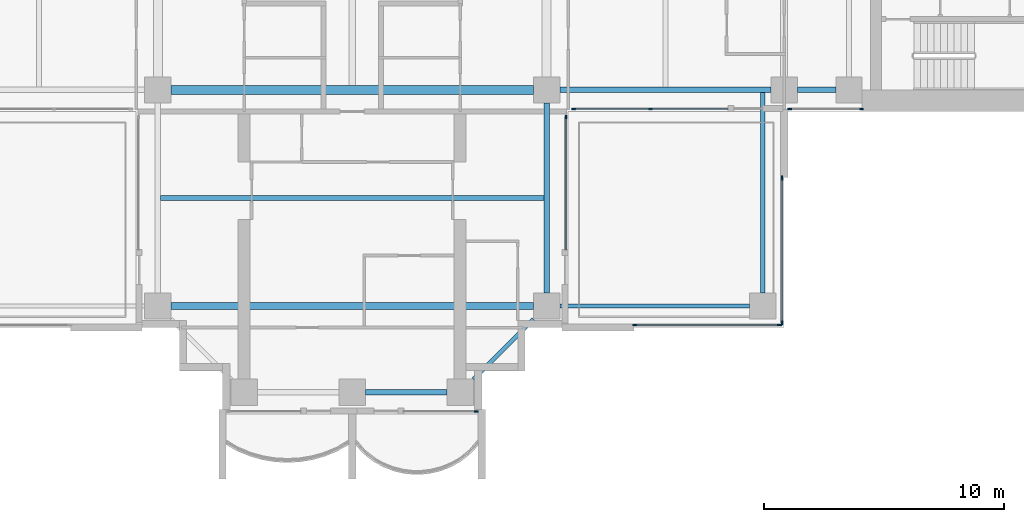
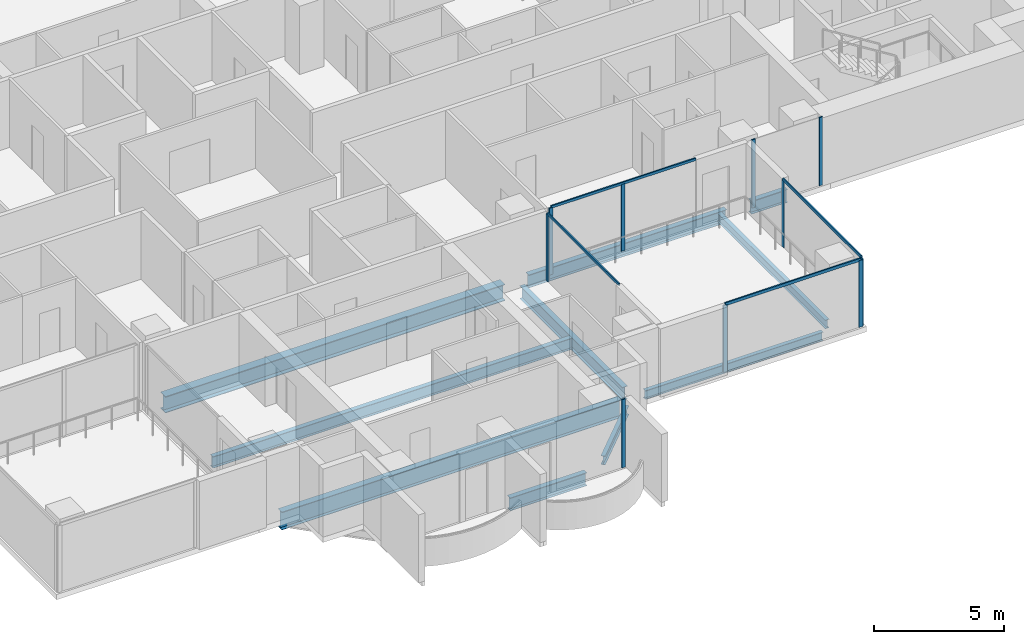
# One storey, part 3 of 19: 14 members, 10 beams, 6 elements without a shape of their own.
"""IFC4 building model written with IfcOpenShell, lengths in metres."""

from ifc_helpers import new_model, si_unit, direction, frame, origin, origin_2d, place, context, subcontext, project, spatial, rectangle, i_section, extrude, material, material_profile, profile_set, type_object, element, aggregate, save


model = new_model("IFC4")

# Units and contexts
model_context = context("Model", 3, precision=1e-05, world=origin(), true_north=direction((0.0, 1.0)))
body_context = subcontext(model_context, "Body", "Model", "MODEL_VIEW")
ifc_project = project(units=[si_unit("LENGTHUNIT", "METRE"), si_unit("AREAUNIT", "SQUARE_METRE"), si_unit("VOLUMEUNIT", "CUBIC_METRE"), si_unit("PLANEANGLEUNIT", "RADIAN"), si_unit("MASSUNIT", "GRAM", prefix="KILO")], contexts=[model_context])

# Site, building, storey
site_placement = place(None, origin())
site = spatial("IfcSite", under=ifc_project, at=site_placement, CompositionType="ELEMENT")
building_placement = place(site_placement, origin())
building = spatial("IfcBuilding", under=site, at=building_placement, Name="Perihelion Cross Residences", CompositionType="ELEMENT")
storey_placement = place(building_placement, frame((0.0, 0.0, 151.39990234375)))
storey = spatial("IfcBuildingStorey", under=building, at=storey_placement, Name="L37", CompositionType="ELEMENT", Elevation=151.39990234375)

# Curtain wall, member
ifc_material_1 = material(Name="Bronze anodised aluminium, tinted glazing", Category="aluminium")
curtain_wall_type_1 = type_object("IfcCurtainWallType", Name="CW1", PredefinedType="NOTDEFINED", material=ifc_material_1)
curtain_wall_1_placement = place(storey_placement, origin())
curtain_wall_1 = element("IfcCurtainWall", 1, at=curtain_wall_1_placement, inside=storey, type_object=curtain_wall_type_1, Name="Curtain wall CW1 L37 south tip south bay 2", PredefinedType="NOTDEFINED")
ifc_material_2 = material(Name="Bronze anodised aluminium", Category="aluminium")
ifc_material_profile_1 = material_profile(ifc_material_2, rectangle(XDim=0.06005859375, YDim=0.159912109375, at=origin_2d()), Name="CW1 mullion")
ifc_profile_set_1 = profile_set([ifc_material_profile_1], Name="Bronze anodised aluminium")
member_type_1 = type_object("IfcMemberType", Name="CW1 mullion", PredefinedType="MULLION", material=ifc_profile_set_1)
member_1_placement = place(storey_placement, frame((5.169921875, -21.5, 0.0), z_axis=(0.0, 0.0, 1.0), x_axis=(0.0, 1.0, 0.0)))
member_1 = element("IfcMember", 2, at=member_1_placement, type_object=member_type_1, Name="CW1 mullion 2", PredefinedType="MULLION", context=body_context, shape_type="SweptSolid", body=[
    extrude(rectangle(XDim=0.06005859375, YDim=0.159912109375, at=origin_2d()), origin(), (0.0, 0.0, 1.0), 3.2001953125),
])
aggregate(curtain_wall_1, [member_1])

curtain_wall_2_placement = place(storey_placement, origin())
curtain_wall_2 = element("IfcCurtainWall", 3, at=curtain_wall_2_placement, inside=storey, type_object=curtain_wall_type_1, Name="Curtain wall CW1 L37 south side east bay 1", PredefinedType="NOTDEFINED")
member_2_placement = place(storey_placement, frame((8.89990234375, -9.22998046875, 0.0), z_axis=(0.0, 0.0, 1.0), x_axis=(-1.0, 0.0, 0.0)))
member_2 = element("IfcMember", 4, at=member_2_placement, type_object=member_type_1, Name="CW1 mullion 2", PredefinedType="MULLION", context=body_context, shape_type="SweptSolid", body=[
    extrude(rectangle(XDim=0.06005859375, YDim=0.159912109375, at=origin_2d()), origin(), (0.0, 0.0, 1.0), 3.14013671875),
])

# Curtain wall, members
curtain_wall_3_placement = place(storey_placement, origin())
curtain_wall_3 = element("IfcCurtainWall", 5, at=curtain_wall_3_placement, inside=storey, type_object=curtain_wall_type_1, Name="Curtain wall CW1 L37 east side south bay 1", PredefinedType="NOTDEFINED")
member_3_placement = place(storey_placement, frame((9.22998046875, -8.89990234375, 0.0), z_axis=(0.0, 0.0, 1.0), x_axis=(0.0, 1.0, 0.0)))
member_3 = element("IfcMember", 6, at=member_3_placement, type_object=member_type_1, Name="CW1 mullion 1", PredefinedType="MULLION", context=body_context, shape_type="SweptSolid", body=[
    extrude(rectangle(XDim=0.06005859375, YDim=0.159912109375, at=origin_2d()), origin(), (0.0, 0.0, 1.0), 3.14013671875),
])
member_4_placement = place(storey_placement, frame((12.425048828125, -8.89990234375, 0.0), z_axis=(0.0, 0.0, 1.0), x_axis=(0.0, 1.0, 0.0)))
member_4 = element("IfcMember", 7, at=member_4_placement, type_object=member_type_1, Name="CW1 mullion 2", PredefinedType="MULLION", context=body_context, shape_type="SweptSolid", body=[
    extrude(rectangle(XDim=0.06005859375, YDim=0.159912109375, at=origin_2d()), origin(), (0.0, 0.0, 1.0), 3.14013671875),
])

curtain_wall_4_placement = place(storey_placement, origin())
curtain_wall_4 = element("IfcCurtainWall", 8, at=curtain_wall_4_placement, inside=storey, type_object=curtain_wall_type_1, Name="Curtain wall CW1 L37 east side south bay 2", PredefinedType="NOTDEFINED")
member_5_placement = place(storey_placement, frame((18.22998046875, -8.89990234375, 0.0), z_axis=(0.0, 0.0, 1.0), x_axis=(0.0, 1.0, 0.0)))
member_5 = element("IfcMember", 9, at=member_5_placement, type_object=member_type_1, Name="CW1 mullion 1", PredefinedType="MULLION", context=body_context, shape_type="SweptSolid", body=[
    extrude(rectangle(XDim=0.06005859375, YDim=0.159912109375, at=origin_2d()), origin(), (0.0, 0.0, 1.0), 3.2001953125),
])
member_6_placement = place(storey_placement, frame((21.219970703125, -8.89990234375, 0.0), z_axis=(0.0, 0.0, 1.0), x_axis=(0.0, 1.0, 0.0)))
member_6 = element("IfcMember", 10, at=member_6_placement, type_object=member_type_1, Name="CW1 mullion 2", PredefinedType="MULLION", context=body_context, shape_type="SweptSolid", body=[
    extrude(rectangle(XDim=0.06005859375, YDim=0.159912109375, at=origin_2d()), origin(), (0.0, 0.0, 1.0), 3.2001953125),
])
aggregate(curtain_wall_4, [member_5, member_6])

# Member
ifc_material_3 = material(Name="Bronze anodised aluminium", Category="aluminium")
ifc_material_profile_2 = material_profile(ifc_material_3, rectangle(XDim=0.06005859375, YDim=0.1201171875, at=origin_2d()), Name="CW1 transom")
ifc_profile_set_2 = profile_set([ifc_material_profile_2], Name="Bronze anodised aluminium")
member_type_2 = type_object("IfcMemberType", Name="CW1 transom", PredefinedType="USERDEFINED", material=ifc_profile_set_2)
member_7_placement = place(storey_placement, frame((8.89990234375, -14.75, 3.170166015625), z_axis=(0.0, 1.0, 0.0), x_axis=(-1.0, 0.0, 0.0)))
member_7 = element("IfcMember", 11, at=member_7_placement, type_object=member_type_2, Name="CW1 head transom", ObjectType="TRANSOM", PredefinedType="USERDEFINED", context=body_context, shape_type="SweptSolid", body=[
    extrude(rectangle(XDim=0.06005859375, YDim=0.1201171875, at=origin_2d()), origin(), (0.0, 0.0, 1.0), 5.52001953125),
])

aggregate(curtain_wall_2, [member_2, member_7])

member_8_placement = place(storey_placement, frame((9.22998046875, -8.89990234375, 3.170166015625), z_axis=(1.0, 0.0, 0.0), x_axis=(0.0, 1.0, 0.0)))
member_8 = element("IfcMember", 12, at=member_8_placement, type_object=member_type_2, Name="CW1 head transom", ObjectType="TRANSOM", PredefinedType="USERDEFINED", context=body_context, shape_type="SweptSolid", body=[
    extrude(rectangle(XDim=0.06005859375, YDim=0.1201171875, at=origin_2d()), origin(), (0.0, 0.0, 1.0), 6.419921875),
])

aggregate(curtain_wall_3, [member_3, member_4, member_8])

# Curtain wall, members
ifc_material_4 = material(Name="Bronze anodised aluminium, tinted glazing", Category="aluminium")
curtain_wall_type_2 = type_object("IfcCurtainWallType", Name="CW4", PredefinedType="NOTDEFINED", material=ifc_material_4)
curtain_wall_5_placement = place(storey_placement, origin())
curtain_wall_5 = element("IfcCurtainWall", 13, at=curtain_wall_5_placement, inside=storey, type_object=curtain_wall_type_2, Name="Curtain wall CW4 L37 pocket south-east 1 1", PredefinedType="NOTDEFINED")
ifc_material_5 = material(Name="Bronze anodised aluminium", Category="aluminium")
ifc_material_profile_3 = material_profile(ifc_material_5, rectangle(XDim=0.06005859375, YDim=0.179931640625, at=origin_2d()), Name="CW4 mullion")
ifc_profile_set_3 = profile_set([ifc_material_profile_3], Name="Bronze anodised aluminium")
member_type_3 = type_object("IfcMemberType", Name="CW4 mullion", PredefinedType="MULLION", material=ifc_profile_set_3)
member_9_placement = place(storey_placement, frame((17.89990234375, -11.77001953125, 0.0), z_axis=(0.0, 0.0, 1.0), x_axis=(1.0, 0.0, 0.0)))
member_9 = element("IfcMember", 14, at=member_9_placement, type_object=member_type_3, Name="CW4 mullion 1", PredefinedType="MULLION", context=body_context, shape_type="SweptSolid", body=[
    extrude(rectangle(XDim=0.06005859375, YDim=0.179931640625, at=origin_2d()), origin(), (0.0, 0.0, 1.0), 3.14013671875),
])
member_10_placement = place(storey_placement, frame((17.89990234375, -17.800048828125, 0.0), z_axis=(0.0, 0.0, 1.0), x_axis=(1.0, 0.0, 0.0)))
member_10 = element("IfcMember", 15, at=member_10_placement, type_object=member_type_3, Name="CW4 mullion 2", PredefinedType="MULLION", context=body_context, shape_type="SweptSolid", body=[
    extrude(rectangle(XDim=0.06005859375, YDim=0.179931640625, at=origin_2d()), origin(), (0.0, 0.0, 1.0), 3.14013671875),
])

curtain_wall_6_placement = place(storey_placement, origin())
curtain_wall_6 = element("IfcCurtainWall", 16, at=curtain_wall_6_placement, inside=storey, type_object=curtain_wall_type_2, Name="Curtain wall CW4 L37 pocket south-east 1 2", PredefinedType="NOTDEFINED")
member_11_placement = place(storey_placement, frame((17.800048828125, -17.89990234375, 0.0), z_axis=(0.0, 0.0, 1.0), x_axis=(0.0, -1.0, 0.0)))
member_11 = element("IfcMember", 17, at=member_11_placement, type_object=member_type_3, Name="CW4 mullion 1", PredefinedType="MULLION", context=body_context, shape_type="SweptSolid", body=[
    extrude(rectangle(XDim=0.06005859375, YDim=0.179931640625, at=origin_2d()), origin(), (0.0, 0.0, 1.0), 3.14013671875),
])
member_12_placement = place(storey_placement, frame((11.77001953125, -17.89990234375, 0.0), z_axis=(0.0, 0.0, 1.0), x_axis=(0.0, -1.0, 0.0)))
member_12 = element("IfcMember", 18, at=member_12_placement, type_object=member_type_3, Name="CW4 mullion 2", PredefinedType="MULLION", context=body_context, shape_type="SweptSolid", body=[
    extrude(rectangle(XDim=0.06005859375, YDim=0.179931640625, at=origin_2d()), origin(), (0.0, 0.0, 1.0), 3.14013671875),
])

# Member
ifc_material_6 = material(Name="Bronze anodised aluminium", Category="aluminium")
ifc_material_profile_4 = material_profile(ifc_material_6, rectangle(XDim=0.06005859375, YDim=0.139892578125, at=origin_2d()), Name="CW4 transom")
ifc_profile_set_4 = profile_set([ifc_material_profile_4], Name="Bronze anodised aluminium")
member_type_4 = type_object("IfcMemberType", Name="CW4 transom", PredefinedType="USERDEFINED", material=ifc_profile_set_4)
member_13_placement = place(storey_placement, frame((17.89990234375, -11.77001953125, 3.170166015625), z_axis=(0.0, -1.0, 0.0), x_axis=(1.0, 0.0, 0.0)))
member_13 = element("IfcMember", 19, at=member_13_placement, type_object=member_type_4, Name="CW4 head transom", ObjectType="TRANSOM", PredefinedType="USERDEFINED", context=body_context, shape_type="SweptSolid", body=[
    extrude(rectangle(XDim=0.06005859375, YDim=0.139892578125, at=origin_2d()), origin(), (0.0, 0.0, 1.0), 6.030029296875),
])

aggregate(curtain_wall_5, [member_9, member_10, member_13])

member_14_placement = place(storey_placement, frame((17.800048828125, -17.89990234375, 3.170166015625), z_axis=(-1.0, 0.0, 0.0), x_axis=(0.0, -1.0, 0.0)))
member_14 = element("IfcMember", 20, at=member_14_placement, type_object=member_type_4, Name="CW4 head transom", ObjectType="TRANSOM", PredefinedType="USERDEFINED", context=body_context, shape_type="SweptSolid", body=[
    extrude(rectangle(XDim=0.06005859375, YDim=0.139892578125, at=origin_2d()), origin(), (0.0, 0.0, 1.0), 6.030029296875),
])

aggregate(curtain_wall_6, [member_11, member_12, member_14])

# Beams
ifc_material_7 = material(Name="Steel S355", Category="steel")
ifc_material_profile_5 = material_profile(ifc_material_7, i_section(OverallWidth=0.177978515625, OverallDepth=0.406005859375, WebThickness=0.0078125, FlangeThickness=0.0126953125, at=origin_2d()), Name="W410x60")
ifc_profile_set_5 = profile_set([ifc_material_profile_5], Name="Steel S355")
beam_type_1 = type_object("IfcBeamType", Name="Core edge beam W410x60", PredefinedType="BEAM", material=ifc_profile_set_5)
beam_1_placement = place(storey_placement, frame((17.10009765625, -8.214599609375, -0.452880859375), z_axis=(0.0, -1.0, 0.0), x_axis=(1.0, 0.0, 0.0)))
element("IfcBeam", 21, at=beam_1_placement, inside=storey, type_object=beam_type_1, Name="Core edge beam TB2 L37 corner no. 5", PredefinedType="BEAM", context=body_context, shape_type="SweptSolid", body=[
    extrude(i_section(OverallWidth=0.177978515625, OverallDepth=0.406005859375, WebThickness=0.0078125, FlangeThickness=0.0126953125, at=origin_2d()), origin(), (0.0, 0.0, 1.0), 8.33544921875),
])
beam_2_placement = place(storey_placement, frame((8.64990234375, -17.10009765625, -0.452880859375), z_axis=(1.0, 0.0, 0.0), x_axis=(0.0, 1.0, 0.0)))
element("IfcBeam", 22, at=beam_2_placement, inside=storey, type_object=beam_type_1, Name="Core edge beam TB2 L37 corner no. 6", PredefinedType="BEAM", context=body_context, shape_type="SweptSolid", body=[
    extrude(i_section(OverallWidth=0.177978515625, OverallDepth=0.406005859375, WebThickness=0.0078125, FlangeThickness=0.0126953125, at=origin_2d()), origin(), (0.0, 0.0, 1.0), 7.900146484375),
])
ifc_material_8 = material(Name="Steel S355", Category="steel")
ifc_material_profile_6 = material_profile(ifc_material_8, i_section(OverallWidth=0.22900390625, OverallDepth=0.612060546875, WebThickness=0.011962890625, FlangeThickness=0.01953125, at=origin_2d()), Name="W610x125")
ifc_profile_set_6 = profile_set([ifc_material_profile_6], Name="Steel S355")
beam_type_2 = type_object("IfcBeamType", Name="Edge beam W610x125", PredefinedType="SPANDREL", material=ifc_profile_set_6)
beam_3_placement = place(storey_placement, frame((0.550048828125, -20.699951171875, -0.555908203125), z_axis=(1.0, 0.0, 0.0), x_axis=(0.0, 1.0, 0.0)))
element("IfcBeam", 23, at=beam_3_placement, inside=storey, type_object=beam_type_2, Name="Edge beam SB3 L37 no. 9", PredefinedType="SPANDREL", context=body_context, shape_type="SweptSolid", body=[
    extrude(i_section(OverallWidth=0.22900390625, OverallDepth=0.612060546875, WebThickness=0.011962890625, FlangeThickness=0.01953125, at=origin_2d()), origin(), (0.0, 0.0, 1.0), 3.39990234375),
])
beam_4_placement = place(storey_placement, frame((8.10009765625, -16.550048828125, -0.555908203125), z_axis=(0.0, 1.0, 0.0), x_axis=(-1.0, 0.0, 0.0)))
element("IfcBeam", 24, at=beam_4_placement, inside=storey, type_object=beam_type_2, Name="Edge beam SB3 L37 no. 15", PredefinedType="SPANDREL", context=body_context, shape_type="SweptSolid", body=[
    extrude(i_section(OverallWidth=0.22900390625, OverallDepth=0.612060546875, WebThickness=0.011962890625, FlangeThickness=0.01953125, at=origin_2d()), origin(), (0.0, 0.0, 1.0), 7.900146484375),
])
beam_5_placement = place(storey_placement, frame((8.64990234375, -8.10009765625, -0.555908203125), z_axis=(1.0, 0.0, 0.0), x_axis=(0.0, 1.0, 0.0)))
element("IfcBeam", 25, at=beam_5_placement, inside=storey, type_object=beam_type_2, Name="Edge beam SB3 L37 no. 16", PredefinedType="SPANDREL", context=body_context, shape_type="SweptSolid", body=[
    extrude(i_section(OverallWidth=0.22900390625, OverallDepth=0.612060546875, WebThickness=0.011962890625, FlangeThickness=0.01953125, at=origin_2d()), origin(), (0.0, 0.0, 1.0), 8.800048828125),
])
beam_6_placement = place(storey_placement, frame((18.550048828125, -8.10009765625, -0.555908203125), z_axis=(1.0, 0.0, 0.0), x_axis=(0.0, 1.0, 0.0)))
element("IfcBeam", 26, at=beam_6_placement, inside=storey, type_object=beam_type_2, Name="Edge beam SB3 L37 no. 11", PredefinedType="SPANDREL", context=body_context, shape_type="SweptSolid", body=[
    extrude(i_section(OverallWidth=0.22900390625, OverallDepth=0.612060546875, WebThickness=0.011962890625, FlangeThickness=0.01953125, at=origin_2d()), origin(), (0.0, 0.0, 1.0), 1.599853515625),
])
ifc_material_9 = material(Name="Steel S355", Category="steel")
ifc_material_profile_7 = material_profile(ifc_material_9, i_section(OverallWidth=0.2919921875, OverallDepth=0.8359375, WebThickness=0.013916015625, FlangeThickness=0.018798828125, at=origin_2d()), Name="W840x176")
ifc_profile_set_7 = profile_set([ifc_material_profile_7], Name="Steel S355")
beam_type_3 = type_object("IfcBeamType", Name="Floor girder W840x176", PredefinedType="BEAM", material=ifc_profile_set_7)
beam_7_placement = place(storey_placement, frame((-7.550048828125, -17.10009765625, -0.66796875), z_axis=(1.0, 0.0, 0.0), x_axis=(0.0, 1.0, 0.0)))
element("IfcBeam", 27, at=beam_7_placement, inside=storey, type_object=beam_type_3, Name="Girder G3 L37 no. 3", PredefinedType="BEAM", context=body_context, shape_type="SweptSolid", body=[
    extrude(i_section(OverallWidth=0.2919921875, OverallDepth=0.8359375, WebThickness=0.013916015625, FlangeThickness=0.018798828125, at=origin_2d()), origin(), (0.0, 0.0, 1.0), 15.10009765625),
])
ifc_material_10 = material(Name="Steel S355", Category="steel")
ifc_material_profile_8 = material_profile(ifc_material_10, i_section(OverallWidth=0.208984375, OverallDepth=0.532958984375, WebThickness=0.01025390625, FlangeThickness=0.015625, at=origin_2d()), Name="W530x92")
ifc_profile_set_8 = profile_set([ifc_material_profile_8], Name="Steel S355")
beam_type_4 = type_object("IfcBeamType", Name="Floor joist W530x92", PredefinedType="JOIST", material=ifc_profile_set_8)
beam_8_placement = place(storey_placement, frame((-7.985595703125, -12.60009765625, -0.516357421875), z_axis=(1.0, 0.0, 0.0), x_axis=(0.0, 1.0, 0.0)))
element("IfcBeam", 28, at=beam_8_placement, inside=storey, type_object=beam_type_4, Name="Joist J4 L37 no. 3", PredefinedType="JOIST", context=body_context, shape_type="SweptSolid", body=[
    extrude(i_section(OverallWidth=0.208984375, OverallDepth=0.532958984375, WebThickness=0.01025390625, FlangeThickness=0.015625, at=origin_2d()), origin(), (0.0, 0.0, 1.0), 15.97119140625),
])
ifc_material_11 = material(Name="Steel S355", Category="steel")
ifc_material_profile_9 = material_profile(ifc_material_11, i_section(OverallWidth=0.381103515625, OverallDepth=0.77197265625, WebThickness=0.0166015625, FlangeThickness=0.027099609375, at=origin_2d()), Name="W760x257")
ifc_profile_set_9 = profile_set([ifc_material_profile_9], Name="Steel S355")
beam_type_5 = type_object("IfcBeamType", Name="Hub ring girder W760x257", PredefinedType="BEAM", material=ifc_profile_set_9)
beam_9_placement = place(storey_placement, frame((-7.550048828125, -8.10009765625, -0.635986328125), z_axis=(1.0, 0.0, 0.0), x_axis=(0.0, 1.0, 0.0)))
element("IfcBeam", 29, at=beam_9_placement, inside=storey, type_object=beam_type_5, Name="Hub ring girder RG3 L37 no. 1", PredefinedType="BEAM", context=body_context, shape_type="SweptSolid", body=[
    extrude(i_section(OverallWidth=0.381103515625, OverallDepth=0.77197265625, WebThickness=0.0166015625, FlangeThickness=0.027099609375, at=origin_2d()), origin(), (0.0, 0.0, 1.0), 15.10009765625),
])
ifc_material_12 = material(Name="Steel S355", Category="steel")
ifc_material_profile_10 = material_profile(ifc_material_12, i_section(OverallWidth=0.180908203125, OverallDepth=0.4169921875, WebThickness=0.010986328125, FlangeThickness=0.018310546875, at=origin_2d()), Name="W410x85")
ifc_profile_set_10 = profile_set([ifc_material_profile_10], Name="Steel S355")
beam_type_6 = type_object("IfcBeamType", Name="Serration edge beam W410x85", PredefinedType="BEAM", material=ifc_profile_set_10)
beam_10_placement = place(storey_placement, frame((5.050048828125, -20.14990234375, -0.45849609375), z_axis=(0.707106781187, 0.707106781187, 0.0), x_axis=(-0.707106781187, 0.707106781187, 0.0)))
element("IfcBeam", 30, at=beam_10_placement, inside=storey, type_object=beam_type_6, Name="Serration edge beam EB3 L37 no. 3", PredefinedType="BEAM", context=body_context, shape_type="SweptSolid", body=[
    extrude(i_section(OverallWidth=0.180908203125, OverallDepth=0.4169921875, WebThickness=0.010986328125, FlangeThickness=0.018310546875, at=origin_2d()), origin(), (0.0, 0.0, 1.0), 3.53564453125),
])

save(model, "model.ifc")
